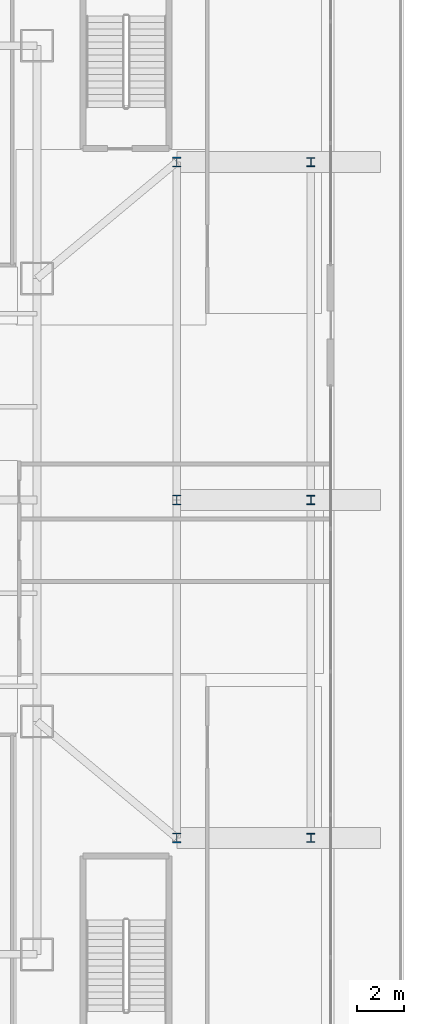
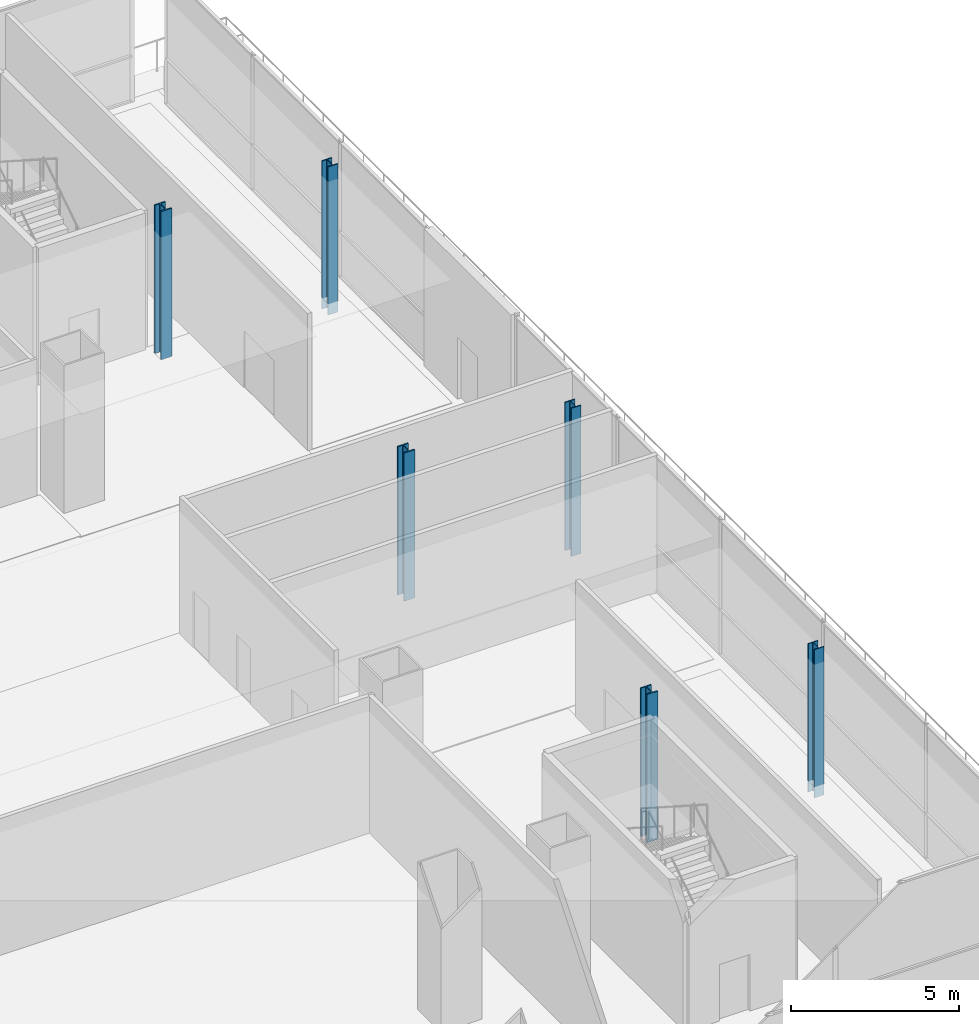
# One storey, part 4 of 35: 6 columns.
"""IFC4 building model written with IfcOpenShell, lengths in metres."""

from ifc_helpers import new_model, si_unit, direction, frame, origin, origin_2d, place, context, subcontext, project, spatial, i_section, extrude, material, material_profile, profile_set, type_object, element, save


model = new_model("IFC4")

# Units and contexts
model_context = context("Model", 3, precision=1e-05, world=origin(), true_north=direction((0.0, 1.0)))
body_context = subcontext(model_context, "Body", "Model", "MODEL_VIEW")
ifc_project = project(units=[si_unit("LENGTHUNIT", "METRE"), si_unit("AREAUNIT", "SQUARE_METRE"), si_unit("VOLUMEUNIT", "CUBIC_METRE"), si_unit("PLANEANGLEUNIT", "RADIAN"), si_unit("MASSUNIT", "GRAM", prefix="KILO")], contexts=[model_context])

# Site, building, storey
site_placement = place(None, origin())
site = spatial("IfcSite", under=ifc_project, at=site_placement, CompositionType="ELEMENT")
building_placement = place(site_placement, origin())
building = spatial("IfcBuilding", under=site, at=building_placement, Name="Trevonay Congress Spire", CompositionType="ELEMENT")
storey_placement = place(building_placement, frame((0.0, 0.0, 10.800048828125)))
storey = spatial("IfcBuildingStorey", under=building, at=storey_placement, Name="L02", CompositionType="ELEMENT", Elevation=10.800048828125)

# Columns
ifc_material = material(Name="Steel ASTM A572 Grade 50", Category="steel")
ifc_material_profile_1 = material_profile(ifc_material, i_section(OverallWidth=0.367919921875, OverallDepth=0.425048828125, WebThickness=0.02978515625, FlangeThickness=0.047607421875, FilletRadius=0.02001953125, at=origin_2d()), Name="W360x421")
ifc_profile_set_1 = profile_set([ifc_material_profile_1], Name="Steel ASTM A572 Grade 50")
column_type_1 = type_object("IfcColumnType", Name="COL-POD-W360X421", PredefinedType="COLUMN", material=ifc_profile_set_1)
for number, where, z_axis, x_axis, name in (
    (1, (29.25, -14.5, 0.0), (0.0, 0.0, 1.0), (1.0, 0.0, 0.0), "L02 column C08 at PE-1"),
    (2, (29.25, 0.0, 0.0), (0.0, 0.0, 1.0), (1.0, 0.0, 0.0), "L02 column C08 at PE-2"),
    (3, (29.25, 14.5, 0.0), (0.0, 0.0, 1.0), (1.0, 0.0, 0.0), "L02 column C08 at PE-3"),
):
    element("IfcColumn", number, at=place(storey_placement, frame(where, z_axis=z_axis, x_axis=x_axis)), inside=storey, type_object=column_type_1, Name=name, PredefinedType="COLUMN", context=body_context, shape_type="SweptSolid", body=[
        extrude(i_section(OverallWidth=0.367919921875, OverallDepth=0.425048828125, WebThickness=0.02978515625, FlangeThickness=0.047607421875, FilletRadius=0.02001953125, at=origin_2d()), origin(), (0.0, 0.0, 1.0), 5.39990234375),
    ])
ifc_material_profile_2 = material_profile(ifc_material, i_section(OverallWidth=0.340087890625, OverallDepth=0.39306640625, WebThickness=0.020263671875, FlangeThickness=0.033203125, FilletRadius=0.02001953125, at=origin_2d()), Name="W360x287")
ifc_profile_set_2 = profile_set([ifc_material_profile_2], Name="Steel ASTM A572 Grade 50")
column_type_2 = type_object("IfcColumnType", Name="COL-STEP-W360X287", PredefinedType="COLUMN", material=ifc_profile_set_2)
for number, where, z_axis, x_axis, name in (
    (4, (35.0, -14.5, -0.400146484375), (0.0, 0.0, 1.0), (1.0, 0.0, 0.0), "L02 column C10 at SE-1"),
    (5, (35.0, 0.0, -0.400146484375), (0.0, 0.0, 1.0), (1.0, 0.0, 0.0), "L02 column C10 at SE-2"),
    (6, (35.0, 14.5, -0.400146484375), (0.0, 0.0, 1.0), (1.0, 0.0, 0.0), "L02 column C10 at SE-3"),
):
    element("IfcColumn", number, at=place(storey_placement, frame(where, z_axis=z_axis, x_axis=x_axis)), inside=storey, type_object=column_type_2, Name=name, PredefinedType="COLUMN", context=body_context, shape_type="SweptSolid", body=[
        extrude(i_section(OverallWidth=0.340087890625, OverallDepth=0.39306640625, WebThickness=0.020263671875, FlangeThickness=0.033203125, FilletRadius=0.02001953125, at=origin_2d()), origin(), (0.0, 0.0, 1.0), 5.400146484375),
    ])

save(model, "model.ifc")
